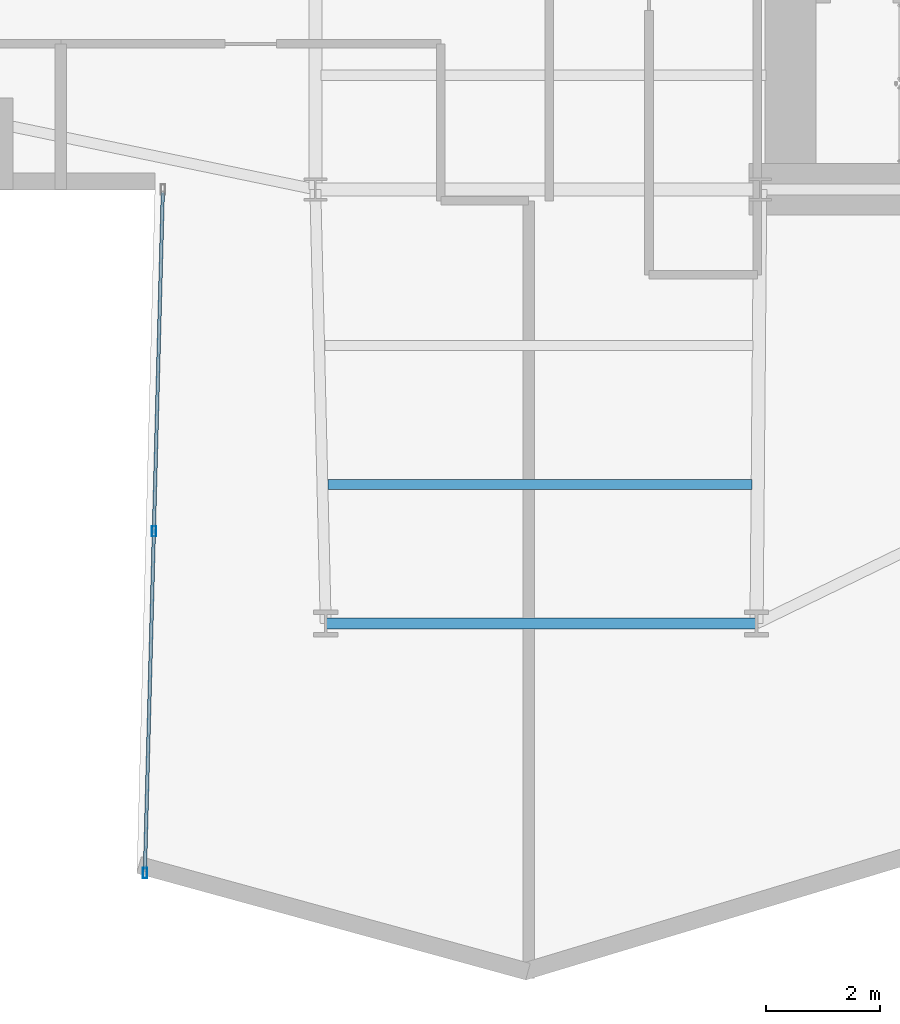
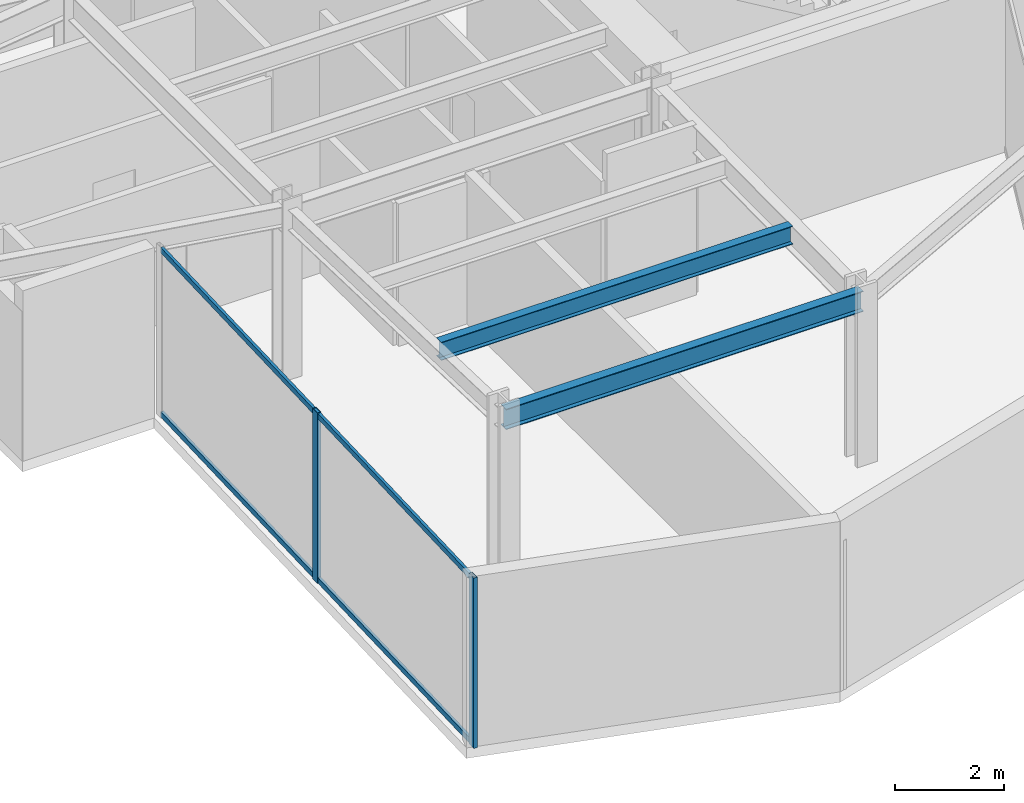
# One storey, part 6 of 29: 4 members, 2 beams, 1 element without a shape of its own.
"""IFC4 building model written with IfcOpenShell, lengths in metres."""

from ifc_helpers import new_model, si_unit, direction, frame, origin, origin_2d, place, context, subcontext, project, spatial, hollow_rectangle, i_section, extrude, material, layer, layer_set, material_profile, profile_set, type_object, element, aggregate, save


model = new_model("IFC4")

# Units and contexts
model_context = context("Model", 3, precision=1e-05, world=origin(), true_north=direction((0.0, 1.0)))
body_context = subcontext(model_context, "Body", "Model", "MODEL_VIEW")
ifc_project = project(units=[si_unit("LENGTHUNIT", "METRE"), si_unit("AREAUNIT", "SQUARE_METRE"), si_unit("VOLUMEUNIT", "CUBIC_METRE"), si_unit("PLANEANGLEUNIT", "RADIAN"), si_unit("MASSUNIT", "GRAM", prefix="KILO")], contexts=[model_context])

# Site, building, storey
site_placement = place(None, origin())
site = spatial("IfcSite", under=ifc_project, at=site_placement, CompositionType="ELEMENT")
building_placement = place(site_placement, origin())
building = spatial("IfcBuilding", under=site, at=building_placement, Name="Veymaron Broadcast Tower", CompositionType="ELEMENT")
storey_placement = place(building_placement, frame((0.0, 0.0, 62.10009765625)))
storey = spatial("IfcBuildingStorey", under=building, at=storey_placement, Name="L13", CompositionType="ELEMENT", Elevation=62.10009765625)

# Beams
ifc_material_1 = material(Name="Structural steel ASTM A992 Gr 50", Category="steel")
ifc_material_profile_1 = material_profile(ifc_material_1, i_section(OverallWidth=0.177978515625, OverallDepth=0.406982421875, WebThickness=0.0078125, FlangeThickness=0.0126953125, at=origin_2d()), Name="W410X60")
ifc_profile_set_1 = profile_set([ifc_material_profile_1], Name="Structural steel ASTM A992 Gr 50")
beam_type_1 = type_object("IfcBeamType", Name="BM-JS1", PredefinedType="JOIST", material=ifc_profile_set_1)
beam_1_placement = place(storey_placement, frame((31.423828125, 10.8251953125, 3.6064453125), z_axis=(1.0, 0.0, 0.0), x_axis=(0.0, 1.0, 0.0)))
element("IfcBeam", 1, at=beam_1_placement, inside=storey, type_object=beam_type_1, Name="L13 Arm-C secondary joist 2", PredefinedType="JOIST", context=body_context, shape_type="SweptSolid", body=[
    extrude(i_section(OverallWidth=0.177978515625, OverallDepth=0.406982421875, WebThickness=0.0078125, FlangeThickness=0.0126953125, at=origin_2d()), origin(), (0.0, 0.0, 1.0), 7.431884765625),
])
ifc_material_profile_2 = material_profile(ifc_material_1, i_section(OverallWidth=0.19091796875, OverallDepth=0.4599609375, WebThickness=0.010009765625, FlangeThickness=0.01611328125, at=origin_2d()), Name="W460X82")
ifc_profile_set_2 = profile_set([ifc_material_profile_2], Name="Structural steel ASTM A992 Gr 50")
beam_type_2 = type_object("IfcBeamType", Name="BM-SP1", PredefinedType="SPANDREL", material=ifc_profile_set_2)
beam_2_placement = place(storey_placement, frame((31.382080078125, 8.389892578125, 3.579833984375), z_axis=(1.0, 0.0, 0.0), x_axis=(0.0, 1.0, 0.0)))
element("IfcBeam", 2, at=beam_2_placement, inside=storey, type_object=beam_type_2, Name="L13 primary structural floor girder", PredefinedType="SPANDREL", context=body_context, shape_type="SweptSolid", body=[
    extrude(i_section(OverallWidth=0.19091796875, OverallDepth=0.4599609375, WebThickness=0.010009765625, FlangeThickness=0.01611328125, at=origin_2d()), origin(), (0.0, 0.0, 1.0), 7.552978515625),
])

# Curtain wall, members
ifc_material_2 = material(Name="Anodised aluminium AA 6063-T6 and laminated low-E dark glass", Category="aluminium")
ifc_layer = layer(ifc_material_2, 0.179931640625)
ifc_layer_set = layer_set([ifc_layer], Name="Anodised aluminium AA 6063-T6 and laminated low-E dark glass")
curtain_wall_type = type_object("IfcCurtainWallType", Name="CW-SYS-02", PredefinedType="NOTDEFINED", material=ifc_layer_set)
curtain_wall_placement = place(storey_placement, origin())
curtain_wall = element("IfcCurtainWall", 3, at=curtain_wall_placement, inside=storey, type_object=curtain_wall_type, Name="L13 dark-glass curtain wall CW-L13-E17-1", PredefinedType="NOTDEFINED")
ifc_material_3 = material(Name="Anodised aluminium AA 6063-T6", Category="aluminium")
ifc_material_profile_3 = material_profile(ifc_material_3, hollow_rectangle(XDim=0.074951171875, YDim=0.179931640625, WallThickness=0.0048828125, at=origin_2d()), Name="AL180X75X5")
ifc_profile_set_3 = profile_set([ifc_material_profile_3], Name="Anodised aluminium AA 6063-T6")
member_type_1 = type_object("IfcMemberType", Name="CW-MUL-02", PredefinedType="MULLION", material=ifc_profile_set_3)
member_1_placement = place(storey_placement, frame((28.369384765625, 10.005859375, 0.0), z_axis=(0.0, 0.0, 1.0), x_axis=(1.0, 0.0, 0.0)))
member_1 = element("IfcMember", 4, at=member_1_placement, type_object=member_type_1, Name="CW-L13-E17-1 mullion 1", PredefinedType="MULLION", context=body_context, shape_type="SweptSolid", body=[
    extrude(hollow_rectangle(XDim=0.074951171875, YDim=0.179931640625, WallThickness=0.0048828125, at=origin_2d()), origin(), (0.0, 0.0, 1.0), 3.809814453125),
])
member_2_placement = place(storey_placement, frame((28.2119140625, 4.015380859375, 0.0), z_axis=(0.0, 0.0, 1.0), x_axis=(1.0, 0.0, 0.0)))
member_2 = element("IfcMember", 5, at=member_2_placement, type_object=member_type_1, Name="CW-L13-E17-1 mullion 2", PredefinedType="MULLION", context=body_context, shape_type="SweptSolid", body=[
    extrude(hollow_rectangle(XDim=0.074951171875, YDim=0.179931640625, WallThickness=0.0048828125, at=origin_2d()), origin(), (0.0, 0.0, 1.0), 3.809814453125),
])
ifc_material_profile_4 = material_profile(ifc_material_3, hollow_rectangle(XDim=0.06005859375, YDim=0.1201171875, WallThickness=0.00390625, at=origin_2d()), Name="AL120X60X4")
ifc_profile_set_4 = profile_set([ifc_material_profile_4], Name="Anodised aluminium AA 6063-T6")
member_type_2 = type_object("IfcMemberType", Name="CW-TRN-02", PredefinedType="USERDEFINED", material=ifc_profile_set_4)
member_3_placement = place(storey_placement, frame((28.525634765625, 15.9462890625, 0.06982421875), z_axis=(-0.026293177264, -0.999654274652, 0.0), x_axis=(0.999654274652, -0.026293177264, 0.0)))
member_3 = element("IfcMember", 6, at=member_3_placement, type_object=member_type_2, Name="CW-L13-E17-1 transom B", ObjectType="TRANSOM", PredefinedType="USERDEFINED", context=body_context, shape_type="SweptSolid", body=[
    extrude(hollow_rectangle(XDim=0.06005859375, YDim=0.1201171875, WallThickness=0.00390625, at=origin_2d()), origin(), (0.0, 0.0, 1.0), 11.88525390625),
])
member_4_placement = place(storey_placement, frame((28.525634765625, 15.9462890625, 3.739990234375), z_axis=(-0.026293177264, -0.999654274652, 0.0), x_axis=(0.999654274652, -0.026293177264, 0.0)))
member_4 = element("IfcMember", 7, at=member_4_placement, type_object=member_type_2, Name="CW-L13-E17-1 transom T", ObjectType="TRANSOM", PredefinedType="USERDEFINED", context=body_context, shape_type="SweptSolid", body=[
    extrude(hollow_rectangle(XDim=0.06005859375, YDim=0.1201171875, WallThickness=0.00390625, at=origin_2d()), origin(), (0.0, 0.0, 1.0), 11.88525390625),
])
aggregate(curtain_wall, [member_1, member_2, member_3, member_4])

save(model, "model.ifc")
